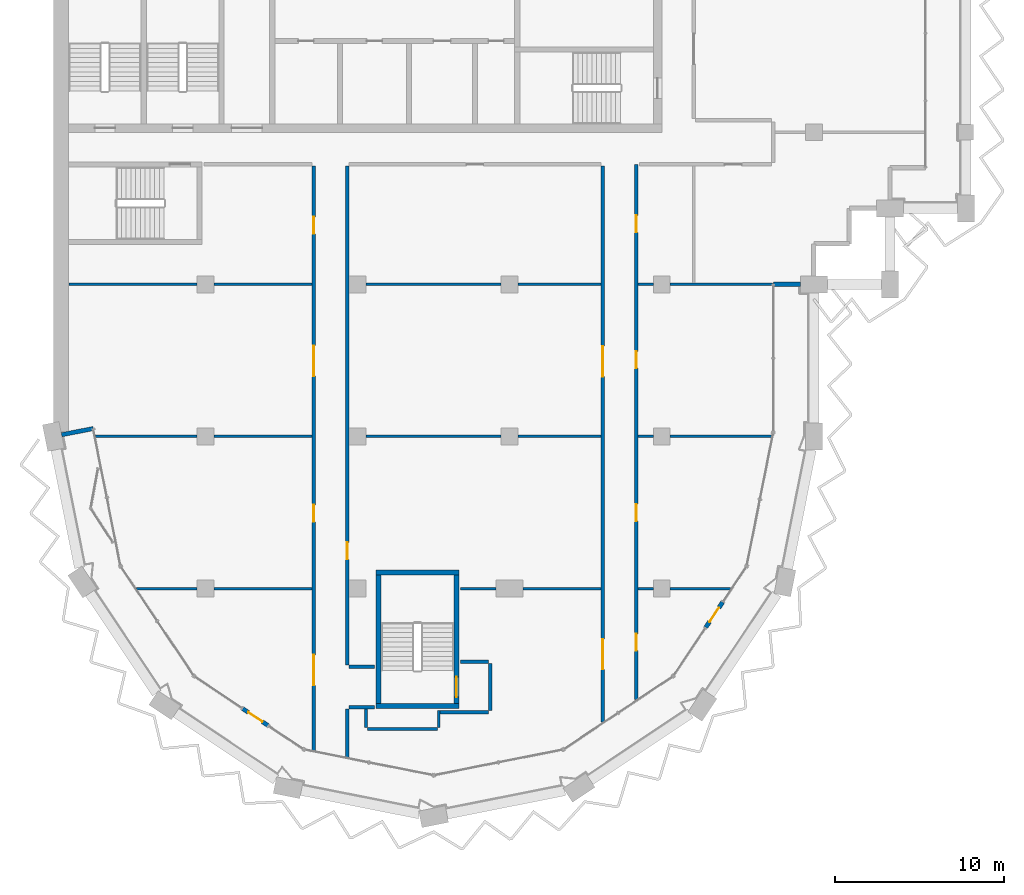
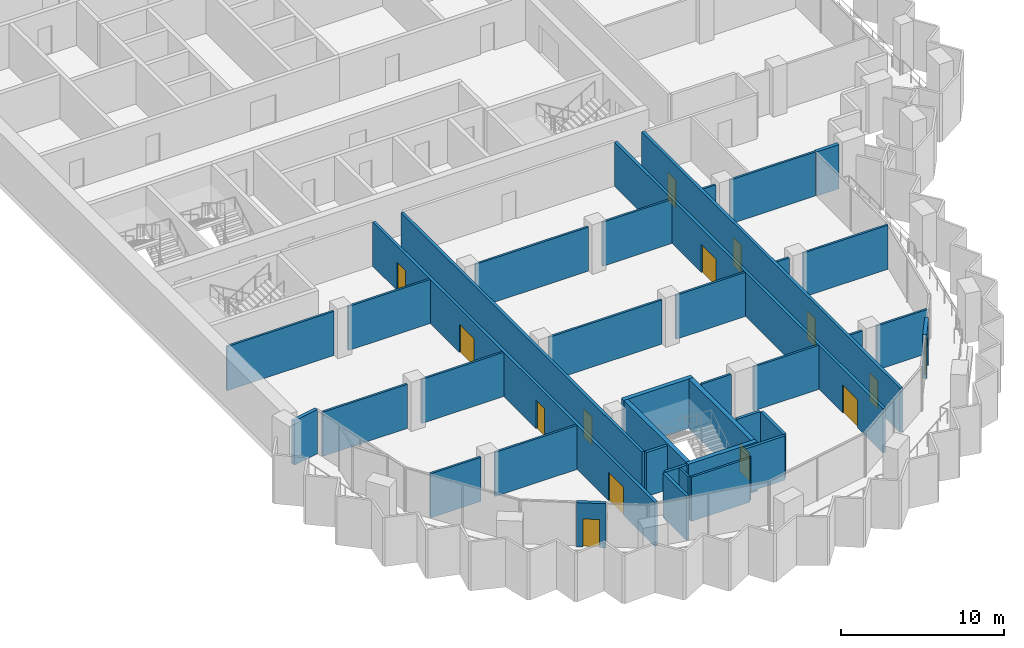
# One storey, part 8 of 17: 39 walls, 14 doors, 14 openings.
"""IFC4 building model written with IfcOpenShell, lengths in metres."""

import ifcopenshell
import ifcopenshell.guid

model = None  # the IFC model being written
_history = None  # IfcOwnerHistory: only IFC2X3 demands one
_inside = {}  # id of a spatial element -> (the spatial element, [elements in it])
_under = {}  # id of a project, library or spatial element -> (it, [spatial elements below it])
_declared = {}  # id of a project -> (the project, [libraries it declares])
_typed = {}  # id of a type object -> (the type object, [elements of that type])
_made_of = {}  # id of a material, layer set ... -> (it, [elements and type objects made of it])


def new_model(schema):
    """Start an empty IFC model of exactly this schema.

    Asked for "IFC4X3", IfcOpenShell would pick the latest addendum, in which some entities
    have other attributes; the version numbers below select the first issue.
    IFC2X3 requires an IfcOwnerHistory on every rooted entity: one is made here for all.
    """
    global model, _history
    if schema == "IFC4X3":
        model = ifcopenshell.file(schema_version=(4, 3, 0, 0))
    else:
        model = ifcopenshell.file(schema=schema)
    _inside.clear()
    _under.clear()
    _declared.clear()
    _typed.clear()
    _made_of.clear()
    _history = None
    if model.schema == "IFC2X3":
        org = make("IfcOrganization", Name="unknown")
        user = make(
            "IfcPersonAndOrganization",
            ThePerson=make("IfcPerson", FamilyName="unknown"),
            TheOrganization=org,
        )
        app = make(
            "IfcApplication",
            ApplicationDeveloper=org,
            Version="unknown",
            ApplicationFullName="unknown",
            ApplicationIdentifier="unknown",
        )
        _history = make(
            "IfcOwnerHistory",
            OwningUser=user,
            OwningApplication=app,
            ChangeAction="ADDED",
            CreationDate=0,
        )
    return model


def make(cls, **values):
    """One entity of the class cls with the attributes given. An attribute that is None is left unset."""
    return model.create_entity(
        cls, **{name: value for name, value in values.items() if value is not None}
    )


def rooted(cls, **values):
    """An entity with a GlobalId (a new one), such as an element, a storey or a relation."""
    return make(cls, GlobalId=ifcopenshell.guid.new(), OwnerHistory=_history, **values)


def si_unit(unit_type, name, prefix=None):
    """IfcSIUnit, for example si_unit("LENGTHUNIT", "METRE", prefix="MILLI")."""
    return make("IfcSIUnit", UnitType=unit_type, Prefix=prefix, Name=name)


def assignment(units):
    """IfcUnitAssignment: the units of a project."""
    return None if units is None else make("IfcUnitAssignment", Units=units)


def point(xyz):
    """IfcCartesianPoint."""
    return None if xyz is None else make("IfcCartesianPoint", Coordinates=xyz)


def direction(xyz):
    """IfcDirection."""
    return None if xyz is None else make("IfcDirection", DirectionRatios=xyz)


def frame(location, z_axis=None, x_axis=None):
    """IfcAxis2Placement3D, a coordinate frame: its origin and axes. An axis left out is left unset."""
    return make(
        "IfcAxis2Placement3D",
        Location=point(location),
        Axis=direction(z_axis),
        RefDirection=direction(x_axis),
    )


def frame_2d(location, x_axis=None):
    """IfcAxis2Placement2D, a coordinate frame in the plane: its origin and x axis."""
    return make(
        "IfcAxis2Placement2D", Location=point(location), RefDirection=direction(x_axis)
    )


def origin():
    """The frame at (0, 0, 0) with its axes left unset."""
    return frame((0.0, 0.0, 0.0))


def place(relative_to, where):
    """IfcLocalPlacement: puts the frame where relative to a parent placement (None: the world)."""
    return make(
        "IfcLocalPlacement", PlacementRelTo=relative_to, RelativePlacement=where
    )


def context(
    kind, dimensions, precision=None, world=None, true_north=None, identifier=None
):
    """IfcGeometricRepresentationContext, for example the 3D "Model" context."""
    return make(
        "IfcGeometricRepresentationContext",
        ContextIdentifier=identifier,
        ContextType=kind,
        CoordinateSpaceDimension=dimensions,
        Precision=precision,
        WorldCoordinateSystem=world,
        TrueNorth=true_north,
    )


def subcontext(parent, identifier, kind, view, scale=None):
    """IfcGeometricRepresentationSubContext, for example "Body" below "Model"."""
    return make(
        "IfcGeometricRepresentationSubContext",
        ContextIdentifier=identifier,
        ContextType=kind,
        ParentContext=parent,
        TargetScale=scale,
        TargetView=view,
    )


def project(units=None, contexts=None):
    """IfcProject with its units and contexts."""
    return rooted(
        "IfcProject",
        Name="project",
        RepresentationContexts=contexts,
        UnitsInContext=assignment(units),
    )


def spatial(cls, under=None, at=None, **own):
    """A site, building, storey or space (cls), placed at a placement, below another one or the project."""
    s = rooted(cls, ObjectPlacement=at, **own)
    if under is not None:
        _under.setdefault(under.id(), (under, []))[1].append(s)
    return s


def profile(cls, at=None, kind="AREA", **sizes):
    """A parametric profile (cls). Its sizes go by their IFC names, for example OverallWidth=200.0."""
    return make(cls, ProfileType=kind, Position=at, **sizes)


def rectangle(**sizes):
    """IfcRectangleProfileDef."""
    return profile("IfcRectangleProfileDef", **sizes)


def extrude(swept, where, along, depth):
    """IfcExtrudedAreaSolid: the profile swept, set in the frame where, extruded along a direction by depth."""
    return make(
        "IfcExtrudedAreaSolid",
        SweptArea=swept,
        Position=where,
        ExtrudedDirection=direction(along),
        Depth=depth,
    )


def shape(context_of_items, identifier, shape_type, items):
    """IfcShapeRepresentation: the items that make up one representation, for example the "Body"."""
    return make(
        "IfcShapeRepresentation",
        ContextOfItems=context_of_items,
        RepresentationIdentifier=identifier,
        RepresentationType=shape_type,
        Items=items,
    )


def material(Name=None, Category=None):
    """IfcMaterial."""
    return make("IfcMaterial", Name=Name, Category=Category)


def layer(
    of_material, thickness, ventilated=None, Name=None, Category=None, Priority=None
):
    """IfcMaterialLayer: one layer of a wall or slab, of a material (None: an air gap)."""
    return make(
        "IfcMaterialLayer",
        Material=of_material,
        LayerThickness=thickness,
        IsVentilated=ventilated,
        Name=Name,
        Category=Category,
        Priority=Priority,
    )


def layer_set(layers, Name=None):
    """IfcMaterialLayerSet."""
    return make("IfcMaterialLayerSet", MaterialLayers=layers, LayerSetName=Name)


def made_of(thing, what):
    """Note that an element or type object is made of a material, layer set ...; save() writes the relation."""
    if what is not None:
        _made_of.setdefault(what.id(), (what, []))[1].append(thing)
    return thing


def type_object(cls, material=None, **own):
    """A type object (cls), such as IfcWallType, which elements share."""
    return made_of(rooted(cls, **own), material)


def element(
    cls,
    number,
    at=None,
    inside=None,
    cuts=None,
    type_object=None,
    material=None,
    context=None,
    identifier="Body",
    shape_type=None,
    held_by="IfcProductDefinitionShape",
    body=None,
    shapes=None,
    **own,
):
    """One element of the class cls, such as IfcWall. Its Tag is "e" and its number.

    at: its placement. inside: the storey or other place that contains it. cuts: it is an
    opening in that element (IfcRelVoidsElement). A single representation is given by context,
    identifier, shape_type and body (its items); several are given by shapes. held_by: the class
    of the entity that holds the representations. save() writes the other relations.
    """
    e = rooted(cls, Tag="e%d" % number, ObjectPlacement=at, **own)
    if body is not None:
        shapes = [shape(context, identifier, shape_type, body)]
    if shapes is not None:
        e.Representation = make(held_by, Representations=shapes)
    if inside is not None:
        _inside.setdefault(inside.id(), (inside, []))[1].append(e)
    if cuts is not None:
        rooted(
            "IfcRelVoidsElement", RelatingBuildingElement=cuts, RelatedOpeningElement=e
        )
    if type_object is not None:
        _typed.setdefault(type_object.id(), (type_object, []))[1].append(e)
    return made_of(e, material)


def fill(opening, filler):
    """IfcRelFillsElement: the door or window that sits in an opening."""
    return rooted(
        "IfcRelFillsElement",
        RelatingOpeningElement=opening,
        RelatedBuildingElement=filler,
    )


def aggregate(whole, parts):
    """IfcRelAggregates: a whole, such as a stair, and the parts it consists of."""
    return rooted("IfcRelAggregates", RelatingObject=whole, RelatedObjects=parts)


def save(model, path):
    """Write the relations noted so far, then the file.

    IfcRelAggregates (storeys below a building ...), IfcRelContainedInSpatialStructure (elements
    in a storey), IfcRelDefinesByType, IfcRelAssociatesMaterial and IfcRelDeclares: one each for
    every whole, place, type object, material and project.
    """
    for whole, parts in _under.values():
        aggregate(whole, parts)
    for where, things in _inside.values():
        rooted(
            "IfcRelContainedInSpatialStructure",
            RelatedElements=things,
            RelatingStructure=where,
        )
    for kind, things in _typed.values():
        rooted("IfcRelDefinesByType", RelatedObjects=things, RelatingType=kind)
    for what, things in _made_of.values():
        rooted("IfcRelAssociatesMaterial", RelatedObjects=things, RelatingMaterial=what)
    for by, libraries in _declared.values():
        rooted("IfcRelDeclares", RelatingContext=by, RelatedDefinitions=libraries)
    model.write(path)


model = new_model("IFC4")

# Units and contexts
model_context = context("Model", 3, precision=1e-05, world=origin(), true_north=direction((0.0, 1.0)))
body_context = subcontext(model_context, "Body", "Model", "MODEL_VIEW")
ifc_project = project(units=[si_unit("LENGTHUNIT", "METRE"), si_unit("AREAUNIT", "SQUARE_METRE"), si_unit("VOLUMEUNIT", "CUBIC_METRE"), si_unit("PLANEANGLEUNIT", "RADIAN"), si_unit("MASSUNIT", "GRAM", prefix="KILO")], contexts=[model_context])

# Site, building, storey
site_placement = place(None, origin())
site = spatial("IfcSite", under=ifc_project, at=site_placement, CompositionType="ELEMENT")
building_placement = place(site_placement, origin())
building = spatial("IfcBuilding", under=site, at=building_placement, Name="Hunhe Ridgeline Campus", CompositionType="ELEMENT")
storey_placement = place(building_placement, frame((0.0, 0.0, 265.10009765625)))
storey = spatial("IfcBuildingStorey", under=building, at=storey_placement, Name="L68", CompositionType="ELEMENT", Elevation=265.10009765625)

# Walls
ifc_material_1 = material(Name="Concrete C30", Category="concrete")
ifc_layer_1 = layer(ifc_material_1, 0.25)
ifc_layer_set_1 = layer_set([ifc_layer_1], Name="Corner return wall 250 Concrete C30")
wall_type_1 = type_object("IfcWallType", Name="Corner return wall 250 Concrete C30", PredefinedType="SOLIDWALL", material=ifc_layer_set_1)
wall_1_placement = place(storey_placement, frame((0.490234375, 45.098388671875, 0.0), z_axis=(0.0, 0.0, 1.0), x_axis=(0.980836699013, 0.194831644939, 0.0)))
element("IfcWall", 1, at=wall_1_placement, inside=storey, type_object=wall_type_1, Name="Corner return wall 1", PredefinedType="SOLIDWALL", context=body_context, shape_type="SweptSolid", body=[
    extrude(rectangle(XDim=1.90087890625, YDim=0.25, at=frame_2d((0.950439453125, 0.0))), origin(), (0.0, 0.0, 1.0), 3.2998046875),
])
wall_2_placement = place(storey_placement, frame((42.59912109375, 54.00048828125, 0.0), z_axis=(0.0, 0.0, 1.0), x_axis=(0.999999988371, 0.000152508767, 0.0)))
element("IfcWall", 2, at=wall_2_placement, inside=storey, type_object=wall_type_1, Name="Corner return wall 2", PredefinedType="SOLIDWALL", context=body_context, shape_type="SweptSolid", body=[
    extrude(rectangle(XDim=1.600830078125, YDim=0.25, at=frame_2d((0.80029296875, 0.0))), origin(), (0.0, 0.0, 1.0), 3.2998046875),
])
ifc_material_2 = material(Name="Gypsum board partition")
ifc_layer_2 = layer(ifc_material_2, 0.199951171875)
ifc_layer_set_2 = layer_set([ifc_layer_2], Name="Corridor partition 200 gypsum board on steel studs")
wall_type_2 = type_object("IfcWallType", Name="Corridor partition 200 gypsum board on steel studs", PredefinedType="PARTITIONING", material=ifc_layer_set_2)
wall_3_placement = place(storey_placement, frame((25.75, 28.675048828125, 0.0), z_axis=(0.0, 0.0, 1.0), x_axis=(-1.0, 0.0, 0.0)))
element("IfcWall", 3, at=wall_3_placement, inside=storey, type_object=wall_type_2, Name="F-L68-wall-002", PredefinedType="PARTITIONING", context=body_context, shape_type="SweptSolid", body=[
    extrude(rectangle(XDim=2.875, YDim=0.199951171875, at=frame_2d((1.4375, 0.0))), origin(), (0.0, 0.0, 1.0), 3.2998046875),
])
for number, where, z_axis, x_axis, name in (
    (4, (18.99609375, 28.97509765625, 0.0), (0.0, 0.0, 1.0), (-1.0, 0.0, 0.0), "F-L68-wall-003"),
    (5, (17.5, 31.375, 0.0), (0.0, 0.0, 1.0), (1.0, 0.0, 0.0), "F-L68-wall-004"),
):
    element("IfcWall", number, at=place(storey_placement, frame(where, z_axis=z_axis, x_axis=x_axis)), inside=storey, type_object=wall_type_2, Name=name, PredefinedType="PARTITIONING", context=body_context, shape_type="SweptSolid", body=[
        extrude(rectangle(XDim=1.49609375, YDim=0.199951171875, at=frame_2d((0.748046875, 0.0))), origin(), (0.0, 0.0, 1.0), 3.2998046875),
    ])
wall_4_placement = place(storey_placement, frame((24.10400390625, 31.675048828125, 0.0), z_axis=(0.0, 0.0, 1.0), x_axis=(1.0, 0.0, 0.0)))
element("IfcWall", 6, at=wall_4_placement, inside=storey, type_object=wall_type_2, Name="F-L68-wall-005", PredefinedType="PARTITIONING", context=body_context, shape_type="SweptSolid", body=[
    extrude(rectangle(XDim=1.64599609375, YDim=0.199951171875, at=frame_2d((0.822998046875, 0.0))), origin(), (0.0, 0.0, 1.0), 3.2998046875),
])

# Wall, openings, doors
wall_5_placement = place(storey_placement, frame((15.39990234375, 26.415283203125, 0.0), z_axis=(0.0, 0.0, 1.0), x_axis=(0.0, 1.0, 0.0)))
wall_5 = element("IfcWall", 7, at=wall_5_placement, inside=storey, type_object=wall_type_2, Name="F-L68-wall-037", PredefinedType="PARTITIONING", context=body_context, shape_type="SweptSolid", body=[
    extrude(rectangle(XDim=34.584716796875, YDim=0.199951171875, at=frame_2d((17.29248046875, 0.0))), origin(), (0.0, 0.0, 1.0), 3.2998046875),
])
opening_1_placement = place(wall_5_placement, frame((3.86181640625, 0.0, 0.0)))
opening_1 = element("IfcOpeningElement", 8, at=opening_1_placement, cuts=wall_5, Name="Opening RD2-001", PredefinedType="OPENING", context=body_context, shape_type="SweptSolid", body=[
    extrude(rectangle(XDim=1.800048828125, YDim=2.10009765625, at=frame_2d((0.89990234375, 1.050048828125))), frame((0.0, 0.10009765625, 0.0), z_axis=(0.0, -1.0, 0.0), x_axis=(1.0, 0.0, 0.0)), (0.0, 0.0, 1.0), 0.199951171875),
])
opening_2_placement = place(wall_5_placement, frame((13.5341796875, 0.0, 0.0)))
opening_2 = element("IfcOpeningElement", 9, at=opening_2_placement, cuts=wall_5, Name="Opening RD1-005", PredefinedType="OPENING", context=body_context, shape_type="SweptSolid", body=[
    extrude(rectangle(XDim=1.0, YDim=2.10009765625, at=frame_2d((0.5, 1.050048828125))), frame((0.0, 0.10009765625, 0.0), z_axis=(0.0, -1.0, 0.0), x_axis=(1.0, 0.0, 0.0)), (0.0, 0.0, 1.0), 0.199951171875),
])
opening_3_placement = place(wall_5_placement, frame((22.156494140625, 0.0, 0.0)))
opening_3 = element("IfcOpeningElement", 10, at=opening_3_placement, cuts=wall_5, Name="Opening RD2-008", PredefinedType="OPENING", context=body_context, shape_type="SweptSolid", body=[
    extrude(rectangle(XDim=1.800048828125, YDim=2.10009765625, at=frame_2d((0.89990234375, 1.050048828125))), frame((0.0, 0.10009765625, 0.0), z_axis=(0.0, -1.0, 0.0), x_axis=(1.0, 0.0, 0.0)), (0.0, 0.0, 1.0), 0.199951171875),
])
opening_4_placement = place(wall_5_placement, frame((30.575927734375, 0.0, 0.0)))
opening_4 = element("IfcOpeningElement", 11, at=opening_4_placement, cuts=wall_5, Name="Opening RD1-010", PredefinedType="OPENING", context=body_context, shape_type="SweptSolid", body=[
    extrude(rectangle(XDim=1.0, YDim=2.10009765625, at=frame_2d((0.5, 1.050048828125))), frame((0.0, 0.10009765625, 0.0), z_axis=(0.0, -1.0, 0.0), x_axis=(1.0, 0.0, 0.0)), (0.0, 0.0, 1.0), 0.199951171875),
])
ifc_material_3 = material(Name="Timber door leaf", Category="wood")
door_type_1 = type_object("IfcDoorType", Name="Double fire door 1800x2100 timber FD60", OperationType="DOUBLE_DOOR_SINGLE_SWING", PredefinedType="DOOR", material=ifc_material_3)
door_1_placement = place(opening_1_placement, origin())
door_1 = element("IfcDoor", 12, at=door_1_placement, inside=storey, type_object=door_type_1, Name="F-L68-door-001", OperationType="DOUBLE_DOOR_SINGLE_SWING", OverallHeight=2.10009765625, OverallWidth=1.800048828125, PredefinedType="DOOR", context=body_context, shape_type="SweptSolid", body=[
    extrude(rectangle(XDim=1.800048828125, YDim=2.10009765625, at=frame_2d((0.89990234375, 1.050048828125))), frame((0.0, 0.02490234375, 0.0), z_axis=(0.0, -1.0, 0.0), x_axis=(1.0, 0.0, 0.0)), (0.0, 0.0, 1.0), 0.050048828125),
])
fill(opening_1, door_1)
door_2_placement = place(opening_3_placement, origin())
door_2 = element("IfcDoor", 13, at=door_2_placement, inside=storey, type_object=door_type_1, Name="F-L68-door-008", OperationType="DOUBLE_DOOR_SINGLE_SWING", OverallHeight=2.10009765625, OverallWidth=1.800048828125, PredefinedType="DOOR", context=body_context, shape_type="SweptSolid", body=[
    extrude(rectangle(XDim=1.800048828125, YDim=2.10009765625, at=frame_2d((0.89990234375, 1.050048828125))), frame((0.0, 0.02490234375, 0.0), z_axis=(0.0, -1.0, 0.0), x_axis=(1.0, 0.0, 0.0)), (0.0, 0.0, 1.0), 0.050048828125),
])
fill(opening_3, door_2)
door_type_2 = type_object("IfcDoorType", Name="Single fire door 1000x2100 timber FD60", OperationType="NOTDEFINED", PredefinedType="DOOR", material=ifc_material_3)
door_3_placement = place(opening_2_placement, origin())
door_3 = element("IfcDoor", 14, at=door_3_placement, inside=storey, type_object=door_type_2, Name="F-L68-door-005", OperationType="SINGLE_SWING_RIGHT", OverallHeight=2.10009765625, OverallWidth=1.0, PredefinedType="DOOR", context=body_context, shape_type="SweptSolid", body=[
    extrude(rectangle(XDim=1.0, YDim=2.10009765625, at=frame_2d((0.5, 1.050048828125))), frame((0.0, 0.02490234375, 0.0), z_axis=(0.0, -1.0, 0.0), x_axis=(1.0, 0.0, 0.0)), (0.0, 0.0, 1.0), 0.050048828125),
])
fill(opening_2, door_3)
door_4_placement = place(opening_4_placement, origin())
door_4 = element("IfcDoor", 15, at=door_4_placement, inside=storey, type_object=door_type_2, Name="F-L68-door-010", OperationType="SINGLE_SWING_RIGHT", OverallHeight=2.10009765625, OverallWidth=1.0, PredefinedType="DOOR", context=body_context, shape_type="SweptSolid", body=[
    extrude(rectangle(XDim=1.0, YDim=2.10009765625, at=frame_2d((0.5, 1.050048828125))), frame((0.0, 0.02490234375, 0.0), z_axis=(0.0, -1.0, 0.0), x_axis=(1.0, 0.0, 0.0)), (0.0, 0.0, 1.0), 0.050048828125),
])
fill(opening_4, door_4)

# Wall
wall_6_placement = place(storey_placement, frame((17.39990234375, 28.875, 0.0), z_axis=(0.0, 0.0, 1.0), x_axis=(0.0, -1.0, 0.0)))
element("IfcWall", 16, at=wall_6_placement, inside=storey, type_object=wall_type_2, Name="F-L68-wall-038", PredefinedType="PARTITIONING", context=body_context, shape_type="SweptSolid", body=[
    extrude(rectangle(XDim=2.857421875, YDim=0.199951171875, at=frame_2d((1.4287109375, 0.0))), origin(), (0.0, 0.0, 1.0), 3.2998046875),
])

# Wall, opening, door
wall_7_placement = place(storey_placement, frame((17.39990234375, 61.0, 0.0), z_axis=(0.0, 0.0, 1.0), x_axis=(0.0, -1.0, 0.0)))
wall_7 = element("IfcWall", 17, at=wall_7_placement, inside=storey, type_object=wall_type_2, Name="F-L68-wall-039", PredefinedType="PARTITIONING", context=body_context, shape_type="SweptSolid", body=[
    extrude(rectangle(XDim=29.52490234375, YDim=0.199951171875, at=frame_2d((14.762451171875, 0.0))), origin(), (0.0, 0.0, 1.0), 3.2998046875),
])
opening_5_placement = place(wall_7_placement, frame((22.269287109375, 0.0, 0.0)))
opening_5 = element("IfcOpeningElement", 18, at=opening_5_placement, cuts=wall_7, Name="Opening RD1-004", PredefinedType="OPENING", context=body_context, shape_type="SweptSolid", body=[
    extrude(rectangle(XDim=1.0, YDim=2.10009765625, at=frame_2d((0.5, 1.050048828125))), frame((0.0, 0.10009765625, 0.0), z_axis=(0.0, -1.0, 0.0), x_axis=(1.0, 0.0, 0.0)), (0.0, 0.0, 1.0), 0.199951171875),
])
door_5_placement = place(opening_5_placement, origin())
door_5 = element("IfcDoor", 19, at=door_5_placement, inside=storey, type_object=door_type_2, Name="F-L68-door-004", OperationType="SINGLE_SWING_RIGHT", OverallHeight=2.10009765625, OverallWidth=1.0, PredefinedType="DOOR", context=body_context, shape_type="SweptSolid", body=[
    extrude(rectangle(XDim=1.0, YDim=2.10009765625, at=frame_2d((0.5, 1.050048828125))), frame((0.0, 0.02490234375, 0.0), z_axis=(0.0, -1.0, 0.0), x_axis=(1.0, 0.0, 0.0)), (0.0, 0.0, 1.0), 0.050048828125),
])
fill(opening_5, door_5)

# Wall
wall_8_placement = place(storey_placement, frame((25.85009765625, 31.574951171875, 0.0), z_axis=(0.0, 0.0, 1.0), x_axis=(0.0, -1.0, 0.0)))
element("IfcWall", 20, at=wall_8_placement, inside=storey, type_object=wall_type_2, Name="F-L68-wall-042", PredefinedType="PARTITIONING", context=body_context, shape_type="SweptSolid", body=[
    extrude(rectangle(XDim=2.800048828125, YDim=0.199951171875, at=frame_2d((1.39990234375, 0.0))), origin(), (0.0, 0.0, 1.0), 3.2998046875),
])

# Wall, openings, doors
wall_9_placement = place(storey_placement, frame((32.5, 28.09375, 0.0), z_axis=(0.0, 0.0, 1.0), x_axis=(0.0, 1.0, 0.0)))
wall_9 = element("IfcWall", 21, at=wall_9_placement, inside=storey, type_object=wall_type_2, Name="F-L68-wall-043", PredefinedType="PARTITIONING", context=body_context, shape_type="SweptSolid", body=[
    extrude(rectangle(XDim=32.90625, YDim=0.199951171875, at=frame_2d((16.453125, 0.0))), origin(), (0.0, 0.0, 1.0), 3.2998046875),
])
opening_6_placement = place(wall_9_placement, frame((3.119140625, 0.0, 0.0)))
opening_6 = element("IfcOpeningElement", 22, at=opening_6_placement, cuts=wall_9, Name="Opening RD2-002", PredefinedType="OPENING", context=body_context, shape_type="SweptSolid", body=[
    extrude(rectangle(XDim=1.800048828125, YDim=2.10009765625, at=frame_2d((0.89990234375, 1.050048828125))), frame((0.0, 0.10009765625, 0.0), z_axis=(0.0, -1.0, 0.0), x_axis=(1.0, 0.0, 0.0)), (0.0, 0.0, 1.0), 0.199951171875),
])
opening_7_placement = place(wall_9_placement, frame((20.451416015625, 0.0, 0.0)))
opening_7 = element("IfcOpeningElement", 23, at=opening_7_placement, cuts=wall_9, Name="Opening RD2-007", PredefinedType="OPENING", context=body_context, shape_type="SweptSolid", body=[
    extrude(rectangle(XDim=1.800048828125, YDim=2.10009765625, at=frame_2d((0.89990234375, 1.050048828125))), frame((0.0, 0.10009765625, 0.0), z_axis=(0.0, -1.0, 0.0), x_axis=(1.0, 0.0, 0.0)), (0.0, 0.0, 1.0), 0.199951171875),
])
door_6_placement = place(opening_6_placement, origin())
door_6 = element("IfcDoor", 24, at=door_6_placement, inside=storey, type_object=door_type_1, Name="F-L68-door-002", OperationType="DOUBLE_DOOR_SINGLE_SWING", OverallHeight=2.10009765625, OverallWidth=1.800048828125, PredefinedType="DOOR", context=body_context, shape_type="SweptSolid", body=[
    extrude(rectangle(XDim=1.800048828125, YDim=2.10009765625, at=frame_2d((0.89990234375, 1.050048828125))), frame((0.0, 0.02490234375, 0.0), z_axis=(0.0, -1.0, 0.0), x_axis=(1.0, 0.0, 0.0)), (0.0, 0.0, 1.0), 0.050048828125),
])
fill(opening_6, door_6)
door_7_placement = place(opening_7_placement, origin())
door_7 = element("IfcDoor", 25, at=door_7_placement, inside=storey, type_object=door_type_1, Name="F-L68-door-007", OperationType="DOUBLE_DOOR_SINGLE_SWING", OverallHeight=2.10009765625, OverallWidth=1.800048828125, PredefinedType="DOOR", context=body_context, shape_type="SweptSolid", body=[
    extrude(rectangle(XDim=1.800048828125, YDim=2.10009765625, at=frame_2d((0.89990234375, 1.050048828125))), frame((0.0, 0.02490234375, 0.0), z_axis=(0.0, -1.0, 0.0), x_axis=(1.0, 0.0, 0.0)), (0.0, 0.0, 1.0), 0.050048828125),
])
fill(opening_7, door_7)

wall_10_placement = place(storey_placement, frame((34.5, 61.10009765625, 0.0), z_axis=(0.0, 0.0, 1.0), x_axis=(0.0, -1.0, 0.0)))
wall_10 = element("IfcWall", 26, at=wall_10_placement, inside=storey, type_object=wall_type_2, Name="F-L68-wall-044", PredefinedType="PARTITIONING", context=body_context, shape_type="SweptSolid", body=[
    extrude(rectangle(XDim=31.669921875, YDim=0.199951171875, at=frame_2d((15.8349609375, 0.0))), origin(), (0.0, 0.0, 1.0), 3.2998046875),
])
opening_8_placement = place(wall_10_placement, frame((27.776611328125, 0.0, 0.0)))
opening_8 = element("IfcOpeningElement", 27, at=opening_8_placement, cuts=wall_10, Name="Opening RD1-003", PredefinedType="OPENING", context=body_context, shape_type="SweptSolid", body=[
    extrude(rectangle(XDim=1.0, YDim=2.10009765625, at=frame_2d((0.5, 1.050048828125))), frame((0.0, 0.10009765625, 0.0), z_axis=(0.0, -1.0, 0.0), x_axis=(1.0, 0.0, 0.0)), (0.0, 0.0, 1.0), 0.199951171875),
])
opening_9_placement = place(wall_10_placement, frame((20.110595703125, 0.0, 0.0)))
opening_9 = element("IfcOpeningElement", 28, at=opening_9_placement, cuts=wall_10, Name="Opening RD1-006", PredefinedType="OPENING", context=body_context, shape_type="SweptSolid", body=[
    extrude(rectangle(XDim=1.0, YDim=2.10009765625, at=frame_2d((0.5, 1.050048828125))), frame((0.0, 0.10009765625, 0.0), z_axis=(0.0, -1.0, 0.0), x_axis=(1.0, 0.0, 0.0)), (0.0, 0.0, 1.0), 0.199951171875),
])
opening_10_placement = place(wall_10_placement, frame((11.06201171875, 0.0, 0.0)))
opening_10 = element("IfcOpeningElement", 29, at=opening_10_placement, cuts=wall_10, Name="Opening RD1-009", PredefinedType="OPENING", context=body_context, shape_type="SweptSolid", body=[
    extrude(rectangle(XDim=1.0, YDim=2.10009765625, at=frame_2d((0.5, 1.050048828125))), frame((0.0, 0.10009765625, 0.0), z_axis=(0.0, -1.0, 0.0), x_axis=(1.0, 0.0, 0.0)), (0.0, 0.0, 1.0), 0.199951171875),
])
opening_11_placement = place(wall_10_placement, frame((3.018798828125, 0.0, 0.0)))
opening_11 = element("IfcOpeningElement", 30, at=opening_11_placement, cuts=wall_10, Name="Opening RD1-011", PredefinedType="OPENING", context=body_context, shape_type="SweptSolid", body=[
    extrude(rectangle(XDim=1.0, YDim=2.10009765625, at=frame_2d((0.5, 1.050048828125))), frame((0.0, 0.10009765625, 0.0), z_axis=(0.0, -1.0, 0.0), x_axis=(1.0, 0.0, 0.0)), (0.0, 0.0, 1.0), 0.199951171875),
])
door_8_placement = place(opening_8_placement, origin())
door_8 = element("IfcDoor", 31, at=door_8_placement, inside=storey, type_object=door_type_2, Name="F-L68-door-003", OperationType="SINGLE_SWING_LEFT", OverallHeight=2.10009765625, OverallWidth=1.0, PredefinedType="DOOR", context=body_context, shape_type="SweptSolid", body=[
    extrude(rectangle(XDim=1.0, YDim=2.10009765625, at=frame_2d((0.5, 1.050048828125))), frame((0.0, 0.02490234375, 0.0), z_axis=(0.0, -1.0, 0.0), x_axis=(1.0, 0.0, 0.0)), (0.0, 0.0, 1.0), 0.050048828125),
])
fill(opening_8, door_8)
door_9_placement = place(opening_9_placement, origin())
door_9 = element("IfcDoor", 32, at=door_9_placement, inside=storey, type_object=door_type_2, Name="F-L68-door-006", OperationType="SINGLE_SWING_LEFT", OverallHeight=2.10009765625, OverallWidth=1.0, PredefinedType="DOOR", context=body_context, shape_type="SweptSolid", body=[
    extrude(rectangle(XDim=1.0, YDim=2.10009765625, at=frame_2d((0.5, 1.050048828125))), frame((0.0, 0.02490234375, 0.0), z_axis=(0.0, -1.0, 0.0), x_axis=(1.0, 0.0, 0.0)), (0.0, 0.0, 1.0), 0.050048828125),
])
fill(opening_9, door_9)
door_10_placement = place(opening_10_placement, origin())
door_10 = element("IfcDoor", 33, at=door_10_placement, inside=storey, type_object=door_type_2, Name="F-L68-door-009", OperationType="SINGLE_SWING_LEFT", OverallHeight=2.10009765625, OverallWidth=1.0, PredefinedType="DOOR", context=body_context, shape_type="SweptSolid", body=[
    extrude(rectangle(XDim=1.0, YDim=2.10009765625, at=frame_2d((0.5, 1.050048828125))), frame((0.0, 0.02490234375, 0.0), z_axis=(0.0, -1.0, 0.0), x_axis=(1.0, 0.0, 0.0)), (0.0, 0.0, 1.0), 0.050048828125),
])
fill(opening_10, door_10)
door_11_placement = place(opening_11_placement, origin())
door_11 = element("IfcDoor", 34, at=door_11_placement, inside=storey, type_object=door_type_2, Name="F-L68-door-011", OperationType="SINGLE_SWING_LEFT", OverallHeight=2.10009765625, OverallWidth=1.0, PredefinedType="DOOR", context=body_context, shape_type="SweptSolid", body=[
    extrude(rectangle(XDim=1.0, YDim=2.10009765625, at=frame_2d((0.5, 1.050048828125))), frame((0.0, 0.02490234375, 0.0), z_axis=(0.0, -1.0, 0.0), x_axis=(1.0, 0.0, 0.0)), (0.0, 0.0, 1.0), 0.050048828125),
])
fill(opening_11, door_11)

# Wall, opening, door
ifc_layer_3 = layer(ifc_material_1, 0.25)
ifc_layer_set_3 = layer_set([ifc_layer_3], Name="Loggia door pier wall 250 Concrete C30")
wall_type_3 = type_object("IfcWallType", Name="Loggia door pier wall 250 Concrete C30", PredefinedType="SOLIDWALL", material=ifc_layer_set_3)
wall_11_placement = place(storey_placement, frame((11.19970703125, 28.897705078125, 0.0), z_axis=(0.0, 0.0, 1.0), x_axis=(0.83146554274, -0.555576323502, 0.0)))
wall_11 = element("IfcWall", 35, at=wall_11_placement, inside=storey, type_object=wall_type_3, Name="Loggia door pier 1", PredefinedType="SOLIDWALL", context=body_context, shape_type="SweptSolid", body=[
    extrude(rectangle(XDim=1.800048828125, YDim=0.25, at=frame_2d((0.89990234375, 0.0))), origin(), (0.0, 0.0, 1.0), 3.2998046875),
])
opening_12_placement = place(wall_11_placement, frame((0.39990234375, 0.0, 0.0)))
opening_12 = element("IfcOpeningElement", 36, at=opening_12_placement, cuts=wall_11, Name="Opening BD502", PredefinedType="OPENING", context=body_context, shape_type="SweptSolid", body=[
    extrude(rectangle(XDim=1.0, YDim=2.10009765625, at=frame_2d((0.5, 1.050048828125))), frame((0.0, 0.125, 0.0), z_axis=(0.0, -1.0, 0.0), x_axis=(1.0, 0.0, 0.0)), (0.0, 0.0, 1.0), 0.25),
])
ifc_material_4 = material(Name="Aluminium 6063", Category="aluminium")
door_type_3 = type_object("IfcDoorType", Name="Loggia glazed door 1000x2100", OperationType="NOTDEFINED", PredefinedType="DOOR", material=ifc_material_4)
door_12_placement = place(opening_12_placement, frame((1.0, 0.0, 0.0), z_axis=(0.0, 0.0, 1.0), x_axis=(-1.0, 0.0, 0.0)))
door_12 = element("IfcDoor", 37, at=door_12_placement, inside=storey, type_object=door_type_3, Name="Loggia door BD502", OperationType="SINGLE_SWING_LEFT", OverallHeight=2.10009765625, OverallWidth=1.0, PredefinedType="DOOR", context=body_context, shape_type="SweptSolid", body=[
    extrude(rectangle(XDim=1.0, YDim=2.10009765625, at=frame_2d((0.5, 1.050048828125))), frame((0.0, 0.02490234375, 0.0), z_axis=(0.0, -1.0, 0.0), x_axis=(1.0, 0.0, 0.0)), (0.0, 0.0, 1.0), 0.050048828125),
])
fill(opening_12, door_12)

wall_12_placement = place(storey_placement, frame((38.602294921875, 33.69970703125, 0.0), z_axis=(0.0, 0.0, 1.0), x_axis=(0.555576323502, 0.83146554274, 0.0)))
wall_12 = element("IfcWall", 38, at=wall_12_placement, inside=storey, type_object=wall_type_3, Name="Loggia door pier 2", PredefinedType="SOLIDWALL", context=body_context, shape_type="SweptSolid", body=[
    extrude(rectangle(XDim=1.800048828125, YDim=0.25, at=frame_2d((0.89990234375, 0.0))), origin(), (0.0, 0.0, 1.0), 3.2998046875),
])
opening_13_placement = place(wall_12_placement, frame((0.39990234375, 0.0, 0.0)))
opening_13 = element("IfcOpeningElement", 39, at=opening_13_placement, cuts=wall_12, Name="Opening BD504", PredefinedType="OPENING", context=body_context, shape_type="SweptSolid", body=[
    extrude(rectangle(XDim=1.0, YDim=2.10009765625, at=frame_2d((0.5, 1.050048828125))), frame((0.0, 0.125, 0.0), z_axis=(0.0, -1.0, 0.0), x_axis=(1.0, 0.0, 0.0)), (0.0, 0.0, 1.0), 0.25),
])
door_13_placement = place(opening_13_placement, frame((1.0, 0.0, 0.0), z_axis=(0.0, 0.0, 1.0), x_axis=(-1.0, 0.0, 0.0)))
door_13 = element("IfcDoor", 40, at=door_13_placement, inside=storey, type_object=door_type_3, Name="Loggia door BD504", OperationType="SINGLE_SWING_LEFT", OverallHeight=2.10009765625, OverallWidth=1.0, PredefinedType="DOOR", context=body_context, shape_type="SweptSolid", body=[
    extrude(rectangle(XDim=1.0, YDim=2.10009765625, at=frame_2d((0.5, 1.050048828125))), frame((0.0, 0.02490234375, 0.0), z_axis=(0.0, -1.0, 0.0), x_axis=(1.0, 0.0, 0.0)), (0.0, 0.0, 1.0), 0.050048828125),
])
fill(opening_13, door_13)

# Walls
ifc_layer_4 = layer(ifc_material_2, 0.14990234375)
ifc_layer_set_4 = layer_set([ifc_layer_4], Name="Room partition 150 gypsum board on steel studs")
wall_type_4 = type_object("IfcWallType", Name="Room partition 150 gypsum board on steel studs", PredefinedType="PARTITIONING", material=ifc_layer_set_4)
wall_13_placement = place(storey_placement, frame((18.574951171875, 27.68994140625, 0.0), z_axis=(0.0, 0.0, 1.0), x_axis=(1.0, 0.0, 0.0)))
element("IfcWall", 41, at=wall_13_placement, inside=storey, type_object=wall_type_4, Name="F-L68-wall-001", PredefinedType="PARTITIONING", context=body_context, shape_type="SweptSolid", body=[
    extrude(rectangle(XDim=4.150146484375, YDim=0.14990234375, at=frame_2d((2.0751953125, 0.0))), origin(), (0.0, 0.0, 1.0), 3.2998046875),
])
wall_14_placement = place(storey_placement, frame((4.925537109375, 36.0, 0.0), z_axis=(0.0, 0.0, 1.0), x_axis=(1.0, 0.0, 0.0)))
element("IfcWall", 42, at=wall_14_placement, inside=storey, type_object=wall_type_4, Name="F-L68-wall-006", PredefinedType="PARTITIONING", context=body_context, shape_type="SweptSolid", body=[
    extrude(rectangle(XDim=3.574462890625, YDim=0.14990234375, at=frame_2d((1.787109375, 0.0))), origin(), (0.0, 0.0, 1.0), 3.2998046875),
])
wall_15_placement = place(storey_placement, frame((9.5, 36.0, 0.0), z_axis=(0.0, 0.0, 1.0), x_axis=(1.0, 0.0, 0.0)))
element("IfcWall", 43, at=wall_15_placement, inside=storey, type_object=wall_type_4, Name="F-L68-wall-007", PredefinedType="PARTITIONING", context=body_context, shape_type="SweptSolid", body=[
    extrude(rectangle(XDim=5.800048828125, YDim=0.14990234375, at=frame_2d((2.89990234375, 0.0))), origin(), (0.0, 0.0, 1.0), 3.2998046875),
])
wall_16_placement = place(storey_placement, frame((24.10400390625, 36.0, 0.0), z_axis=(0.0, 0.0, 1.0), x_axis=(1.0, 0.0, 0.0)))
element("IfcWall", 44, at=wall_16_placement, inside=storey, type_object=wall_type_4, Name="F-L68-wall-008", PredefinedType="PARTITIONING", context=body_context, shape_type="SweptSolid", body=[
    extrude(rectangle(XDim=2.095947265625, YDim=0.14990234375, at=frame_2d((1.0478515625, 0.0))), origin(), (0.0, 0.0, 1.0), 3.2998046875),
])
wall_17_placement = place(storey_placement, frame((27.800048828125, 36.0, 0.0), z_axis=(0.0, 0.0, 1.0), x_axis=(1.0, 0.0, 0.0)))
element("IfcWall", 45, at=wall_17_placement, inside=storey, type_object=wall_type_4, Name="F-L68-wall-009", PredefinedType="PARTITIONING", context=body_context, shape_type="SweptSolid", body=[
    extrude(rectangle(XDim=4.599853515625, YDim=0.14990234375, at=frame_2d((2.2998046875, 0.0))), origin(), (0.0, 0.0, 1.0), 3.2998046875),
])
wall_18_placement = place(storey_placement, frame((34.60009765625, 36.0, 0.0), z_axis=(0.0, 0.0, 1.0), x_axis=(1.0, 0.0, 0.0)))
element("IfcWall", 46, at=wall_18_placement, inside=storey, type_object=wall_type_4, Name="F-L68-wall-010", PredefinedType="PARTITIONING", context=body_context, shape_type="SweptSolid", body=[
    extrude(rectangle(XDim=0.89990234375, YDim=0.14990234375, at=frame_2d((0.449951171875, 0.0))), origin(), (0.0, 0.0, 1.0), 3.2998046875),
])
wall_19_placement = place(storey_placement, frame((36.5, 36.0, 0.0), z_axis=(0.0, 0.0, 1.0), x_axis=(1.0, 0.0, 0.0)))
element("IfcWall", 47, at=wall_19_placement, inside=storey, type_object=wall_type_4, Name="F-L68-wall-011", PredefinedType="PARTITIONING", context=body_context, shape_type="SweptSolid", body=[
    extrude(rectangle(XDim=3.574462890625, YDim=0.14990234375, at=frame_2d((1.787109375, 0.0))), origin(), (0.0, 0.0, 1.0), 3.2998046875),
])
wall_20_placement = place(storey_placement, frame((2.503173828125, 45.0, 0.0), z_axis=(0.0, 0.0, 1.0), x_axis=(1.0, 0.0, 0.0)))
element("IfcWall", 48, at=wall_20_placement, inside=storey, type_object=wall_type_4, Name="F-L68-wall-012", PredefinedType="PARTITIONING", context=body_context, shape_type="SweptSolid", body=[
    extrude(rectangle(XDim=5.996826171875, YDim=0.14990234375, at=frame_2d((2.99853515625, 0.0))), origin(), (0.0, 0.0, 1.0), 3.2998046875),
])
wall_21_placement = place(storey_placement, frame((9.5, 45.0, 0.0), z_axis=(0.0, 0.0, 1.0), x_axis=(1.0, 0.0, 0.0)))
element("IfcWall", 49, at=wall_21_placement, inside=storey, type_object=wall_type_4, Name="F-L68-wall-013", PredefinedType="PARTITIONING", context=body_context, shape_type="SweptSolid", body=[
    extrude(rectangle(XDim=5.800048828125, YDim=0.14990234375, at=frame_2d((2.89990234375, 0.0))), origin(), (0.0, 0.0, 1.0), 3.2998046875),
])
wall_22_placement = place(storey_placement, frame((18.5, 45.0, 0.0), z_axis=(0.0, 0.0, 1.0), x_axis=(1.0, 0.0, 0.0)))
element("IfcWall", 50, at=wall_22_placement, inside=storey, type_object=wall_type_4, Name="F-L68-wall-014", PredefinedType="PARTITIONING", context=body_context, shape_type="SweptSolid", body=[
    extrude(rectangle(XDim=8.0, YDim=0.14990234375, at=frame_2d((4.0, 0.0))), origin(), (0.0, 0.0, 1.0), 3.2998046875),
])
wall_23_placement = place(storey_placement, frame((27.5, 45.0, 0.0), z_axis=(0.0, 0.0, 1.0), x_axis=(1.0, 0.0, 0.0)))
element("IfcWall", 51, at=wall_23_placement, inside=storey, type_object=wall_type_4, Name="F-L68-wall-015", PredefinedType="PARTITIONING", context=body_context, shape_type="SweptSolid", body=[
    extrude(rectangle(XDim=4.89990234375, YDim=0.14990234375, at=frame_2d((2.449951171875, 0.0))), origin(), (0.0, 0.0, 1.0), 3.2998046875),
])
wall_24_placement = place(storey_placement, frame((34.60009765625, 45.0, 0.0), z_axis=(0.0, 0.0, 1.0), x_axis=(1.0, 0.0, 0.0)))
element("IfcWall", 52, at=wall_24_placement, inside=storey, type_object=wall_type_4, Name="F-L68-wall-016", PredefinedType="PARTITIONING", context=body_context, shape_type="SweptSolid", body=[
    extrude(rectangle(XDim=0.89990234375, YDim=0.14990234375, at=frame_2d((0.449951171875, 0.0))), origin(), (0.0, 0.0, 1.0), 3.2998046875),
])
wall_25_placement = place(storey_placement, frame((36.5, 45.0, 0.0), z_axis=(0.0, 0.0, 1.0), x_axis=(1.0, 0.0, 0.0)))
element("IfcWall", 53, at=wall_25_placement, inside=storey, type_object=wall_type_4, Name="F-L68-wall-017", PredefinedType="PARTITIONING", context=body_context, shape_type="SweptSolid", body=[
    extrude(rectangle(XDim=5.996826171875, YDim=0.14990234375, at=frame_2d((2.99853515625, 0.0))), origin(), (0.0, 0.0, 1.0), 3.2998046875),
])
wall_26_placement = place(storey_placement, frame((0.919921875, 54.0, 0.0), z_axis=(0.0, 0.0, 1.0), x_axis=(1.0, 0.0, 0.0)))
element("IfcWall", 54, at=wall_26_placement, inside=storey, type_object=wall_type_4, Name="F-L68-wall-018", PredefinedType="PARTITIONING", context=body_context, shape_type="SweptSolid", body=[
    extrude(rectangle(XDim=7.580078125, YDim=0.14990234375, at=frame_2d((3.7900390625, 0.0))), origin(), (0.0, 0.0, 1.0), 3.2998046875),
])
wall_27_placement = place(storey_placement, frame((9.5, 54.0, 0.0), z_axis=(0.0, 0.0, 1.0), x_axis=(1.0, 0.0, 0.0)))
element("IfcWall", 55, at=wall_27_placement, inside=storey, type_object=wall_type_4, Name="F-L68-wall-019", PredefinedType="PARTITIONING", context=body_context, shape_type="SweptSolid", body=[
    extrude(rectangle(XDim=5.800048828125, YDim=0.14990234375, at=frame_2d((2.89990234375, 0.0))), origin(), (0.0, 0.0, 1.0), 3.2998046875),
])
wall_28_placement = place(storey_placement, frame((18.5, 54.0, 0.0), z_axis=(0.0, 0.0, 1.0), x_axis=(1.0, 0.0, 0.0)))
element("IfcWall", 56, at=wall_28_placement, inside=storey, type_object=wall_type_4, Name="F-L68-wall-020", PredefinedType="PARTITIONING", context=body_context, shape_type="SweptSolid", body=[
    extrude(rectangle(XDim=8.0, YDim=0.14990234375, at=frame_2d((4.0, 0.0))), origin(), (0.0, 0.0, 1.0), 3.2998046875),
])
wall_29_placement = place(storey_placement, frame((27.5, 54.0, 0.0), z_axis=(0.0, 0.0, 1.0), x_axis=(1.0, 0.0, 0.0)))
element("IfcWall", 57, at=wall_29_placement, inside=storey, type_object=wall_type_4, Name="F-L68-wall-021", PredefinedType="PARTITIONING", context=body_context, shape_type="SweptSolid", body=[
    extrude(rectangle(XDim=4.89990234375, YDim=0.14990234375, at=frame_2d((2.449951171875, 0.0))), origin(), (0.0, 0.0, 1.0), 3.2998046875),
])
wall_30_placement = place(storey_placement, frame((34.60009765625, 54.0, 0.0), z_axis=(0.0, 0.0, 1.0), x_axis=(1.0, 0.0, 0.0)))
element("IfcWall", 58, at=wall_30_placement, inside=storey, type_object=wall_type_4, Name="F-L68-wall-022", PredefinedType="PARTITIONING", context=body_context, shape_type="SweptSolid", body=[
    extrude(rectangle(XDim=0.89990234375, YDim=0.14990234375, at=frame_2d((0.449951171875, 0.0))), origin(), (0.0, 0.0, 1.0), 3.2998046875),
])
wall_31_placement = place(storey_placement, frame((36.5, 54.0, 0.0), z_axis=(0.0, 0.0, 1.0), x_axis=(1.0, 0.0, 0.0)))
element("IfcWall", 59, at=wall_31_placement, inside=storey, type_object=wall_type_4, Name="F-L68-wall-023", PredefinedType="PARTITIONING", context=body_context, shape_type="SweptSolid", body=[
    extrude(rectangle(XDim=6.045166015625, YDim=0.14990234375, at=frame_2d((3.0224609375, 0.0))), origin(), (0.0, 0.0, 1.0), 3.2998046875),
])
wall_32_placement = place(storey_placement, frame((18.5, 28.875, 0.0), z_axis=(0.0, 0.0, 1.0), x_axis=(0.0, -1.0, 0.0)))
element("IfcWall", 60, at=wall_32_placement, inside=storey, type_object=wall_type_4, Name="F-L68-wall-040", PredefinedType="PARTITIONING", context=body_context, shape_type="SweptSolid", body=[
    extrude(rectangle(XDim=1.110107421875, YDim=0.14990234375, at=frame_2d((0.55517578125, 0.0))), origin(), (0.0, 0.0, 1.0), 3.2998046875),
])
wall_33_placement = place(storey_placement, frame((22.800048828125, 28.7958984375, 0.0), z_axis=(0.0, 0.0, 1.0), x_axis=(0.0, -1.0, 0.0)))
element("IfcWall", 61, at=wall_33_placement, inside=storey, type_object=wall_type_4, Name="F-L68-wall-041", PredefinedType="PARTITIONING", context=body_context, shape_type="SweptSolid", body=[
    extrude(rectangle(XDim=1.031005859375, YDim=0.14990234375, at=frame_2d((0.515625, 0.0))), origin(), (0.0, 0.0, 1.0), 3.2998046875),
])
ifc_material_5 = material(Name="Concrete C50", Category="concrete")
ifc_layer_5 = layer(ifc_material_5, 0.300048828125)
ifc_layer_set_5 = layer_set([ifc_layer_5], Name="Stair wall 300 reinforced concrete C50")
wall_type_5 = type_object("IfcWallType", Name="Stair wall 300 reinforced concrete C50", PredefinedType="SOLIDWALL", material=ifc_layer_set_5)
for number, where, z_axis, x_axis, name in (
    (62, (19.10009765625, 29.050048828125, -0.400146484375), (0.0, 0.0, 1.0), (1.0, 0.0, 0.0), "L68 core wall 1"),
    (63, (19.10009765625, 36.949951171875, -0.400146484375), (0.0, 0.0, 1.0), (1.0, 0.0, 0.0), "L68 core wall 2"),
):
    element("IfcWall", number, at=place(storey_placement, frame(where, z_axis=z_axis, x_axis=x_axis)), inside=storey, type_object=wall_type_5, Name=name, PredefinedType="SOLIDWALL", context=body_context, shape_type="SweptSolid", body=[
        extrude(rectangle(XDim=4.89990234375, YDim=0.300048828125, at=frame_2d((2.449951171875, 0.0))), origin(), (0.0, 0.0, 1.0), 3.699951171875),
    ])
wall_34_placement = place(storey_placement, frame((19.25, 29.199951171875, -0.400146484375), z_axis=(0.0, 0.0, 1.0), x_axis=(0.0, 1.0, 0.0)))
element("IfcWall", 64, at=wall_34_placement, inside=storey, type_object=wall_type_5, Name="L68 core wall 40", PredefinedType="SOLIDWALL", context=body_context, shape_type="SweptSolid", body=[
    extrude(rectangle(XDim=7.60009765625, YDim=0.300048828125, at=frame_2d((3.800048828125, 0.0))), origin(), (0.0, 0.0, 1.0), 3.699951171875),
])

# Wall, opening, door
wall_35_placement = place(storey_placement, frame((23.85009765625, 29.199951171875, -0.400146484375), z_axis=(0.0, 0.0, 1.0), x_axis=(0.0, 1.0, 0.0)))
wall_35 = element("IfcWall", 65, at=wall_35_placement, inside=storey, type_object=wall_type_5, Name="L68 core wall 45", PredefinedType="SOLIDWALL", context=body_context, shape_type="SweptSolid", body=[
    extrude(rectangle(XDim=7.60009765625, YDim=0.300048828125, at=frame_2d((3.800048828125, 0.0))), origin(), (0.0, 0.0, 1.0), 3.699951171875),
])
opening_14_placement = place(wall_35_placement, frame((0.375, 0.0, 0.39990234375)))
opening_14 = element("IfcOpeningElement", 66, at=opening_14_placement, cuts=wall_35, Name="Opening CD23", PredefinedType="OPENING", context=body_context, shape_type="SweptSolid", body=[
    extrude(rectangle(XDim=1.199951171875, YDim=2.10009765625, at=frame_2d((0.60009765625, 1.050048828125))), frame((0.0, 0.14990234375, 0.0), z_axis=(0.0, -1.0, 0.0), x_axis=(1.0, 0.0, 0.0)), (0.0, 0.0, 1.0), 0.300048828125),
])
ifc_material_6 = material(Name="Hollow metal fire door leaf")
door_type_4 = type_object("IfcDoorType", Name="Stair door 1200x2100 FD60", OperationType="SINGLE_SWING_LEFT", PredefinedType="DOOR", material=ifc_material_6)
door_14_placement = place(opening_14_placement, frame((1.199951171875, 0.0, 0.0), z_axis=(0.0, 0.0, 1.0), x_axis=(-1.0, 0.0, 0.0)))
door_14 = element("IfcDoor", 67, at=door_14_placement, inside=storey, type_object=door_type_4, Name="L68 door W3", OperationType="SINGLE_SWING_LEFT", OverallHeight=2.10009765625, OverallWidth=1.199951171875, PredefinedType="DOOR", context=body_context, shape_type="SweptSolid", body=[
    extrude(rectangle(XDim=1.199951171875, YDim=2.10009765625, at=frame_2d((0.60009765625, 1.050048828125))), frame((0.0, 0.02490234375, 0.0), z_axis=(0.0, -1.0, 0.0), x_axis=(1.0, 0.0, 0.0)), (0.0, 0.0, 1.0), 0.050048828125),
])
fill(opening_14, door_14)

save(model, "model.ifc")
